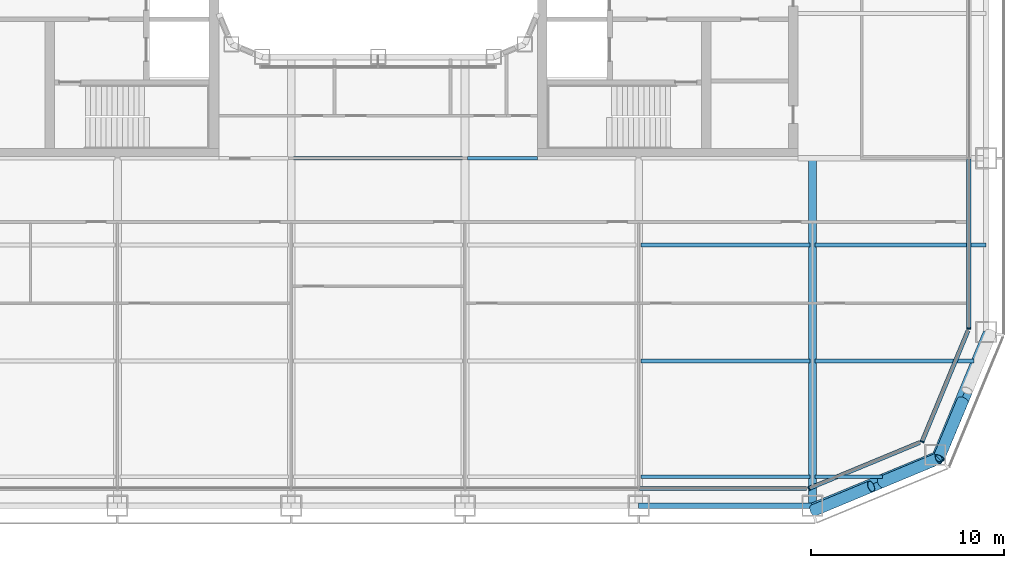
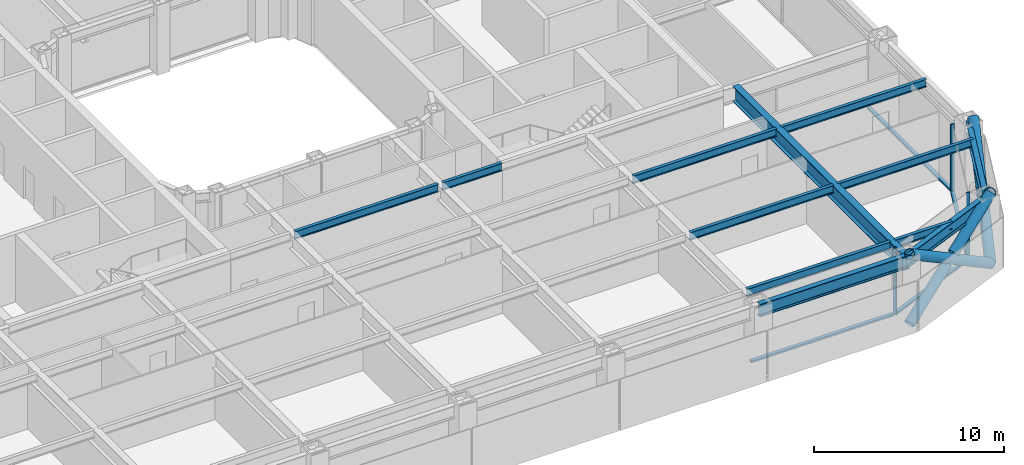
# One storey, part 4 of 29: 12 beams, 12 members, 4 elements without a shape of their own.
"""IFC4 building model written with IfcOpenShell, lengths in metres."""

from ifc_helpers import new_model, si_unit, direction, frame, origin, origin_2d, place, context, subcontext, project, spatial, rectangle, hollow_circle, i_section, extrude, material, layer, layer_set, material_profile, profile_set, type_object, element, aggregate, save


model = new_model("IFC4")

# Units and contexts
model_context = context("Model", 3, precision=1e-05, world=origin(), true_north=direction((0.0, 1.0)))
body_context = subcontext(model_context, "Body", "Model", "MODEL_VIEW")
ifc_project = project(units=[si_unit("LENGTHUNIT", "METRE"), si_unit("AREAUNIT", "SQUARE_METRE"), si_unit("VOLUMEUNIT", "CUBIC_METRE"), si_unit("PLANEANGLEUNIT", "RADIAN"), si_unit("MASSUNIT", "GRAM", prefix="KILO")], contexts=[model_context])

# Site, building, storey
site_placement = place(None, origin())
site = spatial("IfcSite", under=ifc_project, at=site_placement, CompositionType="ELEMENT")
building_placement = place(site_placement, origin())
building = spatial("IfcBuilding", under=site, at=building_placement, Name="Siwar Civic Tower", CompositionType="ELEMENT")
storey_placement = place(building_placement, frame((0.0, 0.0, 49.199951171875)))
storey = spatial("IfcBuildingStorey", under=building, at=storey_placement, Name="L10", CompositionType="ELEMENT", Elevation=49.199951171875)

# Curtain wall, member
ifc_material_1 = material(Name="Aluminium clad insulated panel", Category="aluminium")
ifc_layer_1 = layer(ifc_material_1, 0.219970703125)
ifc_layer_set_1 = layer_set([ifc_layer_1], Name="Aluminium clad insulated panel")
curtain_wall_type_1 = type_object("IfcCurtainWallType", Name="ENV-CW-AX", PredefinedType="NOTDEFINED", material=ifc_layer_set_1)
curtain_wall_1_placement = place(storey_placement, origin())
curtain_wall_1 = element("IfcCurtainWall", 1, at=curtain_wall_1_placement, inside=storey, type_object=curtain_wall_type_1, Name="Curtain wall A SE1", PredefinedType="NOTDEFINED")
ifc_material_2 = material(Name="Aluminium 6063-T6", Category="aluminium")
ifc_material_profile_1 = material_profile(ifc_material_2, rectangle(XDim=0.219970703125, YDim=0.070068359375, at=origin_2d()), Name="AL 220x70")
ifc_profile_set_1 = profile_set([ifc_material_profile_1], Name="Aluminium 6063-T6")
member_type_1 = type_object("IfcMemberType", Name="ENV-MULLION-A", PredefinedType="MULLION", material=ifc_profile_set_1)
member_1_placement = place(storey_placement, frame((22.321044921875, -30.60009765625, 0.0), z_axis=(0.0, 0.0, 1.0), x_axis=(-0.382683432365, 0.923879532511, 0.0)))
member_1 = element("IfcMember", 2, at=member_1_placement, type_object=member_type_1, Name="Mullion A SE1 1", PredefinedType="MULLION", context=body_context, shape_type="SweptSolid", body=[
    extrude(rectangle(XDim=0.219970703125, YDim=0.070068359375, at=origin_2d()), origin(), (0.0, 0.0, 1.0), 4.35009765625),
])

curtain_wall_2_placement = place(storey_placement, origin())
curtain_wall_2 = element("IfcCurtainWall", 3, at=curtain_wall_2_placement, inside=storey, type_object=curtain_wall_type_1, Name="Curtain wall A SE2", PredefinedType="NOTDEFINED")
member_2_placement = place(storey_placement, frame((28.175048828125, -28.175048828125, 0.0), z_axis=(0.0, 0.0, 1.0), x_axis=(-0.923879532511, 0.382683432365, 0.0)))
member_2 = element("IfcMember", 4, at=member_2_placement, type_object=member_type_1, Name="Mullion A SE2 1", PredefinedType="MULLION", context=body_context, shape_type="SweptSolid", body=[
    extrude(rectangle(XDim=0.219970703125, YDim=0.070068359375, at=origin_2d()), origin(), (0.0, 0.0, 1.0), 4.35009765625),
])

ifc_material_3 = material(Name="Aluminium and glass", Category="aluminium")
ifc_layer_2 = layer(ifc_material_3, 0.219970703125)
ifc_layer_set_2 = layer_set([ifc_layer_2], Name="Aluminium and glass")
curtain_wall_type_2 = type_object("IfcCurtainWallType", Name="ENV-CW-A", PredefinedType="NOTDEFINED", material=ifc_layer_set_2)
curtain_wall_3_placement = place(storey_placement, origin())
curtain_wall_3 = element("IfcCurtainWall", 5, at=curtain_wall_3_placement, inside=storey, type_object=curtain_wall_type_2, Name="Curtain wall A E", PredefinedType="NOTDEFINED")
member_3_placement = place(storey_placement, frame((30.60009765625, -22.321044921875, 0.0), z_axis=(0.0, 0.0, 1.0), x_axis=(-1.0, 0.0, 0.0)))
member_3 = element("IfcMember", 6, at=member_3_placement, type_object=member_type_1, Name="Mullion A E 1", PredefinedType="MULLION", context=body_context, shape_type="SweptSolid", body=[
    extrude(rectangle(XDim=0.219970703125, YDim=0.070068359375, at=origin_2d()), origin(), (0.0, 0.0, 1.0), 4.35009765625),
])

curtain_wall_4_placement = place(storey_placement, origin())
curtain_wall_4 = element("IfcCurtainWall", 7, at=curtain_wall_4_placement, inside=storey, type_object=curtain_wall_type_2, Name="Curtain wall A S", PredefinedType="NOTDEFINED")
ifc_material_4 = material(Name="Aluminium 6063-T6", Category="aluminium")
ifc_material_profile_2 = material_profile(ifc_material_4, rectangle(XDim=0.219970703125, YDim=0.1201171875, at=origin_2d()), Name="AL 220x120")
ifc_profile_set_2 = profile_set([ifc_material_profile_2], Name="Aluminium 6063-T6")
member_type_2 = type_object("IfcMemberType", Name="ENV-TRANSOM-A", PredefinedType="USERDEFINED", material=ifc_profile_set_2)
member_4_placement = place(storey_placement, frame((13.534912109375, -30.60009765625, 0.06005859375), z_axis=(1.0, 0.0, 0.0), x_axis=(0.0, 1.0, 0.0)))
member_4 = element("IfcMember", 8, at=member_4_placement, type_object=member_type_2, Name="Transom A S 5", ObjectType="TRANSOM", PredefinedType="USERDEFINED", context=body_context, shape_type="SweptSolid", body=[
    extrude(rectangle(XDim=0.219970703125, YDim=0.1201171875, at=origin_2d()), origin(), (0.0, 0.0, 1.0), 8.66357421875),
])
aggregate(curtain_wall_4, [member_4])

# Member
member_5_placement = place(storey_placement, frame((22.353271484375, -30.586669921875, 0.06005859375), z_axis=(0.923873326341, 0.382698415042, 0.0), x_axis=(-0.382698415042, 0.923873326341, 0.0)))
member_5 = element("IfcMember", 9, at=member_5_placement, type_object=member_type_2, Name="Transom A SE1 1", ObjectType="TRANSOM", PredefinedType="USERDEFINED", context=body_context, shape_type="SweptSolid", body=[
    extrude(rectangle(XDim=0.219970703125, YDim=0.1201171875, at=origin_2d()), origin(), (0.0, 0.0, 1.0), 6.17919921875),
])

aggregate(curtain_wall_1, [member_1, member_5])

member_6_placement = place(storey_placement, frame((28.1884765625, -28.142822265625, 0.06005859375), z_axis=(0.382698415042, 0.923873326341, 0.0), x_axis=(-0.923873326341, 0.382698415042, 0.0)))
member_6 = element("IfcMember", 10, at=member_6_placement, type_object=member_type_2, Name="Transom A SE2 1", ObjectType="TRANSOM", PredefinedType="USERDEFINED", context=body_context, shape_type="SweptSolid", body=[
    extrude(rectangle(XDim=0.219970703125, YDim=0.1201171875, at=origin_2d()), origin(), (0.0, 0.0, 1.0), 6.17919921875),
])

aggregate(curtain_wall_2, [member_2, member_6])

member_7_placement = place(storey_placement, frame((30.60009765625, -22.285888671875, 0.06005859375), z_axis=(0.0, 1.0, 0.0), x_axis=(-1.0, 0.0, 0.0)))
member_7 = element("IfcMember", 11, at=member_7_placement, type_object=member_type_2, Name="Transom A E 1", ObjectType="TRANSOM", PredefinedType="USERDEFINED", context=body_context, shape_type="SweptSolid", body=[
    extrude(rectangle(XDim=0.219970703125, YDim=0.1201171875, at=origin_2d()), origin(), (0.0, 0.0, 1.0), 8.7509765625),
])

aggregate(curtain_wall_3, [member_3, member_7])

# Members
ifc_material_5 = material(Name="Steel S355", Category="steel")
ifc_material_profile_3 = material_profile(ifc_material_5, hollow_circle(Radius=0.304931640625, WallThickness=0.030029296875, at=origin_2d()), Name="CHS610x30")
ifc_profile_set_3 = profile_set([ifc_material_profile_3], Name="Steel S355")
member_type_3 = type_object("IfcMemberType", Name="STR-BR-CHS610x30", PredefinedType="BRACE", material=ifc_profile_set_3)
member_8_placement = place(storey_placement, frame((29.040771484375, -29.040771484375, 0.0), z_axis=(0.323905527954, 0.777554562952, 0.538975055633), x_axis=(-0.923108759191, 0.384538969033, 0.0)))
element("IfcMember", 12, at=member_8_placement, inside=storey, type_object=member_type_3, Name="L10/brc/ASE1-9-0-1", PredefinedType="BRACE", context=body_context, shape_type="SweptSolid", body=[
    extrude(hollow_circle(Radius=0.304931640625, WallThickness=0.030029296875, at=origin_2d()), origin(), (0.0, 0.0, 1.0), 8.34912109375),
])
member_9_placement = place(storey_placement, frame((30.285888671875, -26.052001953125, 2.428466796875), z_axis=(-0.323934068367, -0.777568797048, 0.538937366685), x_axis=(0.923099230484, -0.384561842466, 0.0)))
element("IfcMember", 13, at=member_9_placement, inside=storey, type_object=member_type_3, Name="L10/brc/ASE1-9-0-3", PredefinedType="BRACE", context=body_context, shape_type="SweptSolid", body=[
    extrude(hollow_circle(Radius=0.304931640625, WallThickness=0.030029296875, at=origin_2d()), origin(), (0.0, 0.0, 1.0), 3.84375),
])
member_10_placement = place(storey_placement, frame((29.040771484375, -29.040771484375, 0.0), z_axis=(-0.777554562952, -0.323905527954, 0.538975055633), x_axis=(0.384538969033, -0.923108759191, 0.0)))
element("IfcMember", 14, at=member_10_placement, inside=storey, type_object=member_type_3, Name="L10/brc/ASE1-9-0-0", PredefinedType="BRACE", context=body_context, shape_type="SweptSolid", body=[
    extrude(hollow_circle(Radius=0.304931640625, WallThickness=0.030029296875, at=origin_2d()), origin(), (0.0, 0.0, 1.0), 8.34912109375),
])
member_11_placement = place(storey_placement, frame((22.548828125, -31.7451171875, 0.0), z_axis=(0.777533059308, 0.323882123145, 0.539020140617), x_axis=(-0.384524353215, 0.923114847559, 0.0)))
element("IfcMember", 15, at=member_11_placement, inside=storey, type_object=member_type_3, Name="L10/brc/ASE1-9-0-4", PredefinedType="BRACE", context=body_context, shape_type="SweptSolid", body=[
    extrude(hollow_circle(Radius=0.304931640625, WallThickness=0.030029296875, at=origin_2d()), origin(), (0.0, 0.0, 1.0), 3.843505859375),
])
member_12_placement = place(storey_placement, frame((26.052001953125, -30.285888671875, 2.428466796875), z_axis=(0.777568797048, 0.323934068367, 0.538937366685), x_axis=(-0.384561842466, 0.923099230484, 0.0)))
element("IfcMember", 16, at=member_12_placement, inside=storey, type_object=member_type_3, Name="L10/brc/ASE1-9-0-5", PredefinedType="BRACE", context=body_context, shape_type="SweptSolid", body=[
    extrude(hollow_circle(Radius=0.304931640625, WallThickness=0.030029296875, at=origin_2d()), origin(), (0.0, 0.0, 1.0), 3.84375),
])

# Beams
ifc_material_6 = material(Name="Steel S355", Category="steel")
ifc_material_profile_4 = material_profile(ifc_material_6, i_section(OverallWidth=0.199951171875, OverallDepth=0.5, WebThickness=0.01025390625, FlangeThickness=0.01611328125, FilletRadius=0.02099609375, at=origin_2d()), Name="IPE500")
ifc_profile_set_4 = profile_set([ifc_material_profile_4], Name="Steel S355")
beam_type_1 = type_object("IfcBeamType", Name="STR-FB-IPE500", PredefinedType="JOIST", material=ifc_profile_set_4)
beam_1_placement = place(storey_placement, frame((13.6298828125, -30.0, 4.10009765625), z_axis=(1.0, 0.0, 0.0), x_axis=(0.0, 1.0, 0.0)))
element("IfcBeam", 17, at=beam_1_placement, inside=storey, type_object=beam_type_1, Name="L10/bm/F006", PredefinedType="JOIST", context=body_context, shape_type="SweptSolid", body=[
    extrude(i_section(OverallWidth=0.199951171875, OverallDepth=0.5, WebThickness=0.01025390625, FlangeThickness=0.01611328125, FilletRadius=0.02099609375, at=origin_2d()), origin(), (0.0, 0.0, 1.0), 8.740234375),
])
beam_2_placement = place(storey_placement, frame((22.6298828125, -30.0, 4.10009765625), z_axis=(1.0, 0.0, 0.0), x_axis=(0.0, 1.0, 0.0)))
element("IfcBeam", 18, at=beam_2_placement, inside=storey, type_object=beam_type_1, Name="L10/bm/F007", PredefinedType="JOIST", context=body_context, shape_type="SweptSolid", body=[
    extrude(i_section(OverallWidth=0.199951171875, OverallDepth=0.5, WebThickness=0.01025390625, FlangeThickness=0.01611328125, FilletRadius=0.02099609375, at=origin_2d()), origin(), (0.0, 0.0, 1.0), 3.491455078125),
])
beam_3_placement = place(storey_placement, frame((13.6298828125, -24.0, 4.10009765625), z_axis=(1.0, 0.0, 0.0), x_axis=(0.0, 1.0, 0.0)))
element("IfcBeam", 19, at=beam_3_placement, inside=storey, type_object=beam_type_1, Name="L10/bm/F013", PredefinedType="JOIST", context=body_context, shape_type="SweptSolid", body=[
    extrude(i_section(OverallWidth=0.199951171875, OverallDepth=0.5, WebThickness=0.01025390625, FlangeThickness=0.01611328125, FilletRadius=0.02099609375, at=origin_2d()), origin(), (0.0, 0.0, 1.0), 8.740234375),
])
beam_4_placement = place(storey_placement, frame((22.6298828125, -24.0, 4.10009765625), z_axis=(1.0, 0.0, 0.0), x_axis=(0.0, 1.0, 0.0)))
element("IfcBeam", 20, at=beam_4_placement, inside=storey, type_object=beam_type_1, Name="L10/bm/F014", PredefinedType="JOIST", context=body_context, shape_type="SweptSolid", body=[
    extrude(i_section(OverallWidth=0.199951171875, OverallDepth=0.5, WebThickness=0.01025390625, FlangeThickness=0.01611328125, FilletRadius=0.02099609375, at=origin_2d()), origin(), (0.0, 0.0, 1.0), 8.248779296875),
])
beam_5_placement = place(storey_placement, frame((13.6298828125, -18.0, 4.10009765625), z_axis=(1.0, 0.0, 0.0), x_axis=(0.0, 1.0, 0.0)))
element("IfcBeam", 21, at=beam_5_placement, inside=storey, type_object=beam_type_1, Name="L10/bm/F020", PredefinedType="JOIST", context=body_context, shape_type="SweptSolid", body=[
    extrude(i_section(OverallWidth=0.199951171875, OverallDepth=0.5, WebThickness=0.01025390625, FlangeThickness=0.01611328125, FilletRadius=0.02099609375, at=origin_2d()), origin(), (0.0, 0.0, 1.0), 8.740234375),
])
beam_6_placement = place(storey_placement, frame((22.6298828125, -18.0, 4.10009765625), z_axis=(1.0, 0.0, 0.0), x_axis=(0.0, 1.0, 0.0)))
element("IfcBeam", 22, at=beam_6_placement, inside=storey, type_object=beam_type_1, Name="L10/bm/F021", PredefinedType="JOIST", context=body_context, shape_type="SweptSolid", body=[
    extrude(i_section(OverallWidth=0.199951171875, OverallDepth=0.5, WebThickness=0.01025390625, FlangeThickness=0.01611328125, FilletRadius=0.02099609375, at=origin_2d()), origin(), (0.0, 0.0, 1.0), 8.8701171875),
])
beam_7_placement = place(storey_placement, frame((-4.3701171875, -13.5, 4.10009765625), z_axis=(1.0, 0.0, 0.0), x_axis=(0.0, 1.0, 0.0)))
element("IfcBeam", 23, at=beam_7_placement, inside=storey, type_object=beam_type_1, Name="L10/bm/F026", PredefinedType="JOIST", context=body_context, shape_type="SweptSolid", body=[
    extrude(i_section(OverallWidth=0.199951171875, OverallDepth=0.5, WebThickness=0.01025390625, FlangeThickness=0.01611328125, FilletRadius=0.02099609375, at=origin_2d()), origin(), (0.0, 0.0, 1.0), 8.740234375),
])
beam_8_placement = place(storey_placement, frame((4.6298828125, -13.5, 4.10009765625), z_axis=(1.0, 0.0, 0.0), x_axis=(0.0, 1.0, 0.0)))
element("IfcBeam", 24, at=beam_8_placement, inside=storey, type_object=beam_type_1, Name="L10/bm/F027", PredefinedType="JOIST", context=body_context, shape_type="SweptSolid", body=[
    extrude(i_section(OverallWidth=0.199951171875, OverallDepth=0.5, WebThickness=0.01025390625, FlangeThickness=0.01611328125, FilletRadius=0.02099609375, at=origin_2d()), origin(), (0.0, 0.0, 1.0), 3.6201171875),
])
ifc_material_7 = material(Name="Steel S355", Category="steel")
ifc_material_profile_5 = material_profile(ifc_material_7, i_section(OverallWidth=0.39990234375, OverallDepth=1.0, WebThickness=0.01611328125, FlangeThickness=0.0400390625, at=origin_2d()), Name="PG1000x400x16x40")
ifc_profile_set_5 = profile_set([ifc_material_profile_5], Name="Steel S355")
beam_type_2 = type_object("IfcBeamType", Name="STR-PG-PG1000x400x16x40", PredefinedType="BEAM", material=ifc_profile_set_5)
beam_9_placement = place(storey_placement, frame((22.5, -31.5, 3.85009765625), z_axis=(0.0, 1.0, 0.0), x_axis=(-1.0, 0.0, 0.0)))
element("IfcBeam", 25, at=beam_9_placement, inside=storey, type_object=beam_type_2, Name="L10/bm/G11", PredefinedType="BEAM", context=body_context, shape_type="SweptSolid", body=[
    extrude(i_section(OverallWidth=0.39990234375, OverallDepth=1.0, WebThickness=0.01611328125, FlangeThickness=0.0400390625, at=origin_2d()), origin(), (0.0, 0.0, 1.0), 18.0),
])
ifc_material_8 = material(Name="Steel S355", Category="steel")
ifc_material_profile_6 = material_profile(ifc_material_8, i_section(OverallWidth=0.302978515625, OverallDepth=0.81396484375, WebThickness=0.02099609375, FlangeThickness=0.0400390625, FilletRadius=0.030029296875, at=origin_2d()), Name="HEM800")
ifc_profile_set_6 = profile_set([ifc_material_profile_6], Name="Steel S355")
beam_type_3 = type_object("IfcBeamType", Name="STR-SB-HEM800", PredefinedType="BEAM", material=ifc_profile_set_6)
beam_10_placement = place(storey_placement, frame((13.5, -31.5, 3.943115234375), z_axis=(1.0, 0.0, 0.0), x_axis=(0.0, 1.0, 0.0)))
element("IfcBeam", 26, at=beam_10_placement, inside=storey, type_object=beam_type_3, Name="L10/bm/SS-4", PredefinedType="BEAM", context=body_context, shape_type="SweptSolid", body=[
    extrude(i_section(OverallWidth=0.302978515625, OverallDepth=0.81396484375, WebThickness=0.02099609375, FlangeThickness=0.0400390625, FilletRadius=0.030029296875, at=origin_2d()), origin(), (0.0, 0.0, 1.0), 9.0),
])
for number, where, z_axis, x_axis, name in (
    (27, (22.5, -31.5, 3.943115234375), (0.923883353507, 0.382674207535, 0.0), (-0.382674207535, 0.923883353507, 0.0), "L10/bm/SSE1-0"),
    (28, (28.864013671875, -28.864013671875, 3.943115234375), (0.382674207535, 0.923883353507, 0.0), (-0.923883353507, 0.382674207535, 0.0), "L10/bm/SSE2-0"),
):
    element("IfcBeam", number, at=place(storey_placement, frame(where, z_axis=z_axis, x_axis=x_axis)), inside=storey, type_object=beam_type_3, Name=name, PredefinedType="BEAM", context=body_context, shape_type="SweptSolid", body=[
        extrude(i_section(OverallWidth=0.302978515625, OverallDepth=0.81396484375, WebThickness=0.02099609375, FlangeThickness=0.0400390625, FilletRadius=0.030029296875, at=origin_2d()), origin(), (0.0, 0.0, 1.0), 6.888427734375),
    ])

save(model, "model.ifc")
